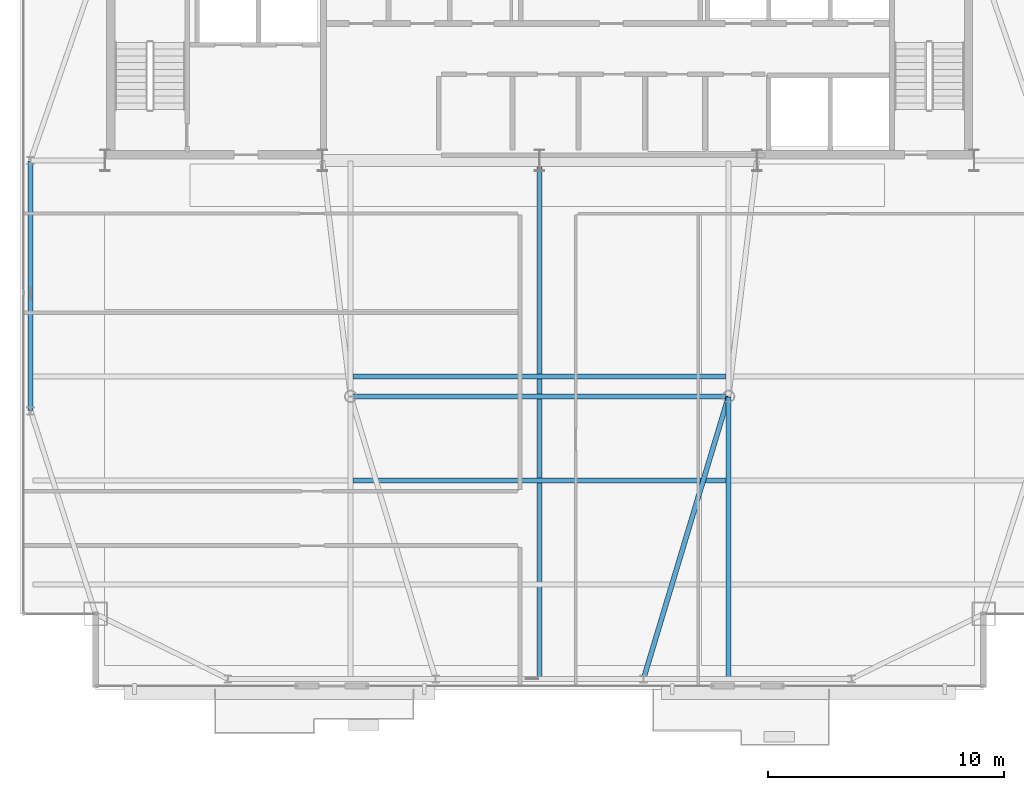
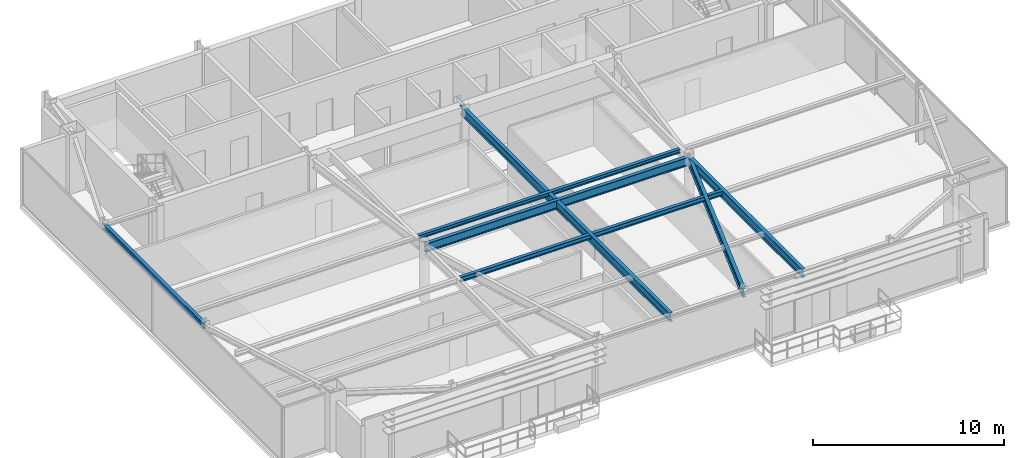
# One storey, part 8 of 23: 7 beams.
"""IFC4 building model written with IfcOpenShell, lengths in metres."""

from ifc_helpers import new_model, si_unit, direction, frame, origin, origin_2d, place, context, subcontext, project, spatial, i_section, extrude, source, transform, mapped, material, material_profile, profile_set, type_object, type_shapes, element, save


model = new_model("IFC4")

# Units and contexts
model_context = context("Model", 3, precision=1e-05, world=origin(), true_north=direction((0.0, 1.0)))
body_context = subcontext(model_context, "Body", "Model", "MODEL_VIEW")
ifc_project = project(units=[si_unit("LENGTHUNIT", "METRE"), si_unit("AREAUNIT", "SQUARE_METRE"), si_unit("VOLUMEUNIT", "CUBIC_METRE"), si_unit("PLANEANGLEUNIT", "RADIAN"), si_unit("MASSUNIT", "GRAM", prefix="KILO")], contexts=[model_context])

# Site, building, storey
site_placement = place(None, origin())
site = spatial("IfcSite", under=ifc_project, at=site_placement, CompositionType="ELEMENT")
building_placement = place(site_placement, origin())
building = spatial("IfcBuilding", under=site, at=building_placement, Name="Varnel Quay Broadcast Tower", CompositionType="ELEMENT")
storey_placement = place(building_placement, frame((0.0, 0.0, 266.0)))
storey = spatial("IfcBuildingStorey", under=building, at=storey_placement, Name="L66", CompositionType="ELEMENT", Elevation=266.0)

# Beams
ifc_material = material(Name="Structural Steel CSA G40.21 350W", Category="steel")
ifc_material_profile_1 = material_profile(ifc_material, i_section(OverallWidth=0.205078125, OverallDepth=0.35400390625, WebThickness=0.009521484375, FlangeThickness=0.016845703125, FilletRadius=0.012939453125, at=origin_2d()), Name="W360X79")
ifc_profile_set_1 = profile_set([ifc_material_profile_1], Name="Structural Steel CSA G40.21 350W")
beam_type_1 = type_object("IfcBeamType", Name="Beam_W360X79", PredefinedType="SPANDREL", material=ifc_profile_set_1)
shared_shape_1 = source(origin(), body_context, "Body", "SweptSolid", [
    extrude(i_section(OverallWidth=0.205078125, OverallDepth=0.35400390625, WebThickness=0.009521484375, FlangeThickness=0.016845703125, FilletRadius=0.012939453125, at=origin_2d()), origin(), (0.0, 0.0, 1.0), 10.56005859375),
])
type_shapes(beam_type_1, [shared_shape_1])
beam_1_placement = place(storey_placement, frame((12.449951171875, 25.02001953125, 3.373046875), z_axis=(0.0, 1.0, 0.0), x_axis=(-1.0, 0.0, 0.0)))
element("IfcBeam", 1, at=beam_1_placement, inside=storey, type_object=beam_type_1, Name="L66 West Spandrel TC-W1-TC-W2", PredefinedType="SPANDREL", context=body_context, shape_type="MappedRepresentation", body=[
    mapped(shared_shape_1, transform((0.0, 0.0, 0.0), x_axis=(1.0, 0.0, 0.0), y_axis=(0.0, 1.0, 0.0), z_axis=(0.0, 0.0, 1.0), scale=1.0)),
])
ifc_material_profile_2 = material_profile(ifc_material, i_section(OverallWidth=0.2119140625, OverallDepth=0.5439453125, WebThickness=0.01318359375, FlangeThickness=0.021240234375, FilletRadius=0.013916015625, at=origin_2d()), Name="W530X123")
ifc_profile_set_2 = profile_set([ifc_material_profile_2], Name="Structural Steel CSA G40.21 350W")
beam_type_2 = type_object("IfcBeamType", Name="Girder_W530X123", PredefinedType="BEAM", material=ifc_profile_set_2)
shared_shape_2 = source(origin(), body_context, "Body", "SweptSolid", [
    extrude(i_section(OverallWidth=0.2119140625, OverallDepth=0.5439453125, WebThickness=0.01318359375, FlangeThickness=0.021240234375, FilletRadius=0.013916015625, at=origin_2d()), origin(), (0.0, 0.0, 1.0), 12.449951171875),
])
beam_2_placement = place(storey_placement, frame((38.40576171875, 13.669189453125, 3.278076171875), z_axis=(0.28822390679, 0.957563042078, 0.0), x_axis=(-0.957563042078, 0.28822390679, 0.0)))
element("IfcBeam", 2, at=beam_2_placement, inside=storey, type_object=beam_type_2, Name="L66 Primary Girder TC-S3-IC-02", PredefinedType="BEAM", context=body_context, shape_type="MappedRepresentation", body=[
    mapped(shared_shape_2, transform((0.0, 0.0, 0.0), x_axis=(1.0, 0.0, 0.0), y_axis=(0.0, 1.0, 0.0), z_axis=(0.0, 0.0, 1.0), scale=1.0)),
])
shared_shape_3 = source(origin(), body_context, "Body", "SweptSolid", [
    extrude(i_section(OverallWidth=0.2119140625, OverallDepth=0.5439453125, WebThickness=0.01318359375, FlangeThickness=0.021240234375, FilletRadius=0.013916015625, at=origin_2d()), origin(), (0.0, 0.0, 1.0), 15.9599609375),
])
beam_3_placement = place(storey_placement, frame((26.02001953125, 25.610107421875, 3.278076171875), z_axis=(1.0, 0.0, 0.0), x_axis=(0.0, 1.0, 0.0)))
element("IfcBeam", 3, at=beam_3_placement, inside=storey, type_object=beam_type_2, Name="L66 Interior Spine Girder", PredefinedType="BEAM", context=body_context, shape_type="MappedRepresentation", body=[
    mapped(shared_shape_3, transform((0.0, 0.0, 0.0), x_axis=(1.0, 0.0, 0.0), y_axis=(0.0, 1.0, 0.0), z_axis=(0.0, 0.0, 1.0), scale=1.0)),
])
shared_shape_4 = source(origin(), body_context, "Body", "SweptSolid", [
    extrude(i_section(OverallWidth=0.2119140625, OverallDepth=0.5439453125, WebThickness=0.01318359375, FlangeThickness=0.021240234375, FilletRadius=0.013916015625, at=origin_2d()), origin(), (0.0, 0.0, 1.0), 21.91015625),
])
beam_4_placement = place(storey_placement, frame((34.0, 13.669921875, 3.278076171875), z_axis=(0.0, 1.0, 0.0), x_axis=(-1.0, 0.0, 0.0)))
element("IfcBeam", 4, at=beam_4_placement, inside=storey, type_object=beam_type_2, Name="L66 Central Bay Girder", PredefinedType="BEAM", context=body_context, shape_type="MappedRepresentation", body=[
    mapped(shared_shape_4, transform((0.0, 0.0, 0.0), x_axis=(1.0, 0.0, 0.0), y_axis=(0.0, 1.0, 0.0), z_axis=(0.0, 0.0, 1.0), scale=1.0)),
])
shared_shape_5 = source(origin(), body_context, "Body", "SweptSolid", [
    extrude(i_section(OverallWidth=0.2119140625, OverallDepth=0.5439453125, WebThickness=0.01318359375, FlangeThickness=0.021240234375, FilletRadius=0.013916015625, at=origin_2d()), origin(), (0.0, 0.0, 1.0), 11.920166015625),
])
type_shapes(beam_type_2, [shared_shape_2, shared_shape_3, shared_shape_4, shared_shape_5])
beam_5_placement = place(storey_placement, frame((42.0, 13.669921875, 3.278076171875), z_axis=(0.0, 1.0, 0.0), x_axis=(-1.0, 0.0, 0.0)))
element("IfcBeam", 5, at=beam_5_placement, inside=storey, type_object=beam_type_2, Name="L66 N-S Joist Header IC-02S", PredefinedType="BEAM", context=body_context, shape_type="MappedRepresentation", body=[
    mapped(shared_shape_5, transform((0.0, 0.0, 0.0), x_axis=(1.0, 0.0, 0.0), y_axis=(0.0, 1.0, 0.0), z_axis=(0.0, 0.0, 1.0), scale=1.0)),
])
ifc_material_profile_3 = material_profile(ifc_material, i_section(OverallWidth=0.201904296875, OverallDepth=0.2470703125, WebThickness=0.00732421875, FlangeThickness=0.010986328125, FilletRadius=0.010986328125, at=origin_2d()), Name="W250X49")
ifc_profile_set_3 = profile_set([ifc_material_profile_3], Name="Structural Steel CSA G40.21 350W")
beam_type_3 = type_object("IfcBeamType", Name="Beam_W250X49", PredefinedType="JOIST", material=ifc_profile_set_3)
shared_shape_6 = source(origin(), body_context, "Body", "SweptSolid", [
    extrude(i_section(OverallWidth=0.201904296875, OverallDepth=0.2470703125, WebThickness=0.00732421875, FlangeThickness=0.010986328125, FilletRadius=0.010986328125, at=origin_2d()), origin(), (0.0, 0.0, 1.0), 15.7978515625),
])
type_shapes(beam_type_3, [shared_shape_6])
beam_6_placement = place(storey_placement, frame((26.10107421875, 26.449951171875, 3.426513671875), z_axis=(1.0, 0.0, 0.0), x_axis=(0.0, 1.0, 0.0)))
element("IfcBeam", 6, at=beam_6_placement, inside=storey, type_object=beam_type_3, Name="L66 Central Floor Joist 3", PredefinedType="JOIST", context=body_context, shape_type="MappedRepresentation", body=[
    mapped(shared_shape_6, transform((0.0, 0.0, 0.0), x_axis=(1.0, 0.0, 0.0), y_axis=(0.0, 1.0, 0.0), z_axis=(0.0, 0.0, 1.0), scale=1.0)),
])
ifc_material_profile_4 = material_profile(ifc_material, i_section(OverallWidth=0.202880859375, OverallDepth=0.302978515625, WebThickness=0.007568359375, FlangeThickness=0.01318359375, FilletRadius=0.011962890625, at=origin_2d()), Name="W310X60")
ifc_profile_set_4 = profile_set([ifc_material_profile_4], Name="Structural Steel CSA G40.21 350W")
beam_type_4 = type_object("IfcBeamType", Name="Beam_W310X60", PredefinedType="JOIST", material=ifc_profile_set_4)
shared_shape_7 = source(origin(), body_context, "Body", "SweptSolid", [
    extrude(i_section(OverallWidth=0.202880859375, OverallDepth=0.302978515625, WebThickness=0.007568359375, FlangeThickness=0.01318359375, FilletRadius=0.011962890625, at=origin_2d()), origin(), (0.0, 0.0, 1.0), 15.7978515625),
])
type_shapes(beam_type_4, [shared_shape_7])
beam_7_placement = place(storey_placement, frame((26.10107421875, 22.050048828125, 3.3984375), z_axis=(1.0, 0.0, 0.0), x_axis=(0.0, 1.0, 0.0)))
element("IfcBeam", 7, at=beam_7_placement, inside=storey, type_object=beam_type_4, Name="L66 Central Floor Joist 2", PredefinedType="JOIST", context=body_context, shape_type="MappedRepresentation", body=[
    mapped(shared_shape_7, transform((0.0, 0.0, 0.0), x_axis=(1.0, 0.0, 0.0), y_axis=(0.0, 1.0, 0.0), z_axis=(0.0, 0.0, 1.0), scale=1.0)),
])

save(model, "model.ifc")
